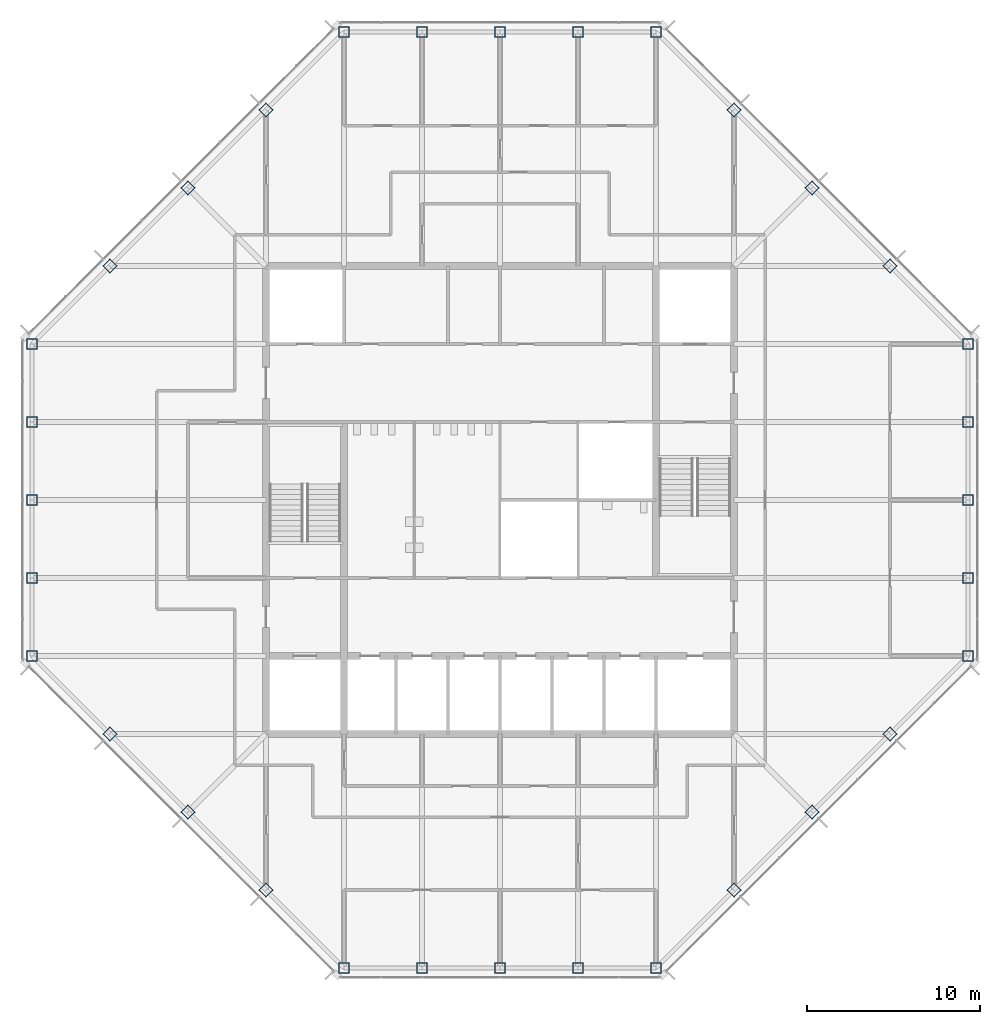
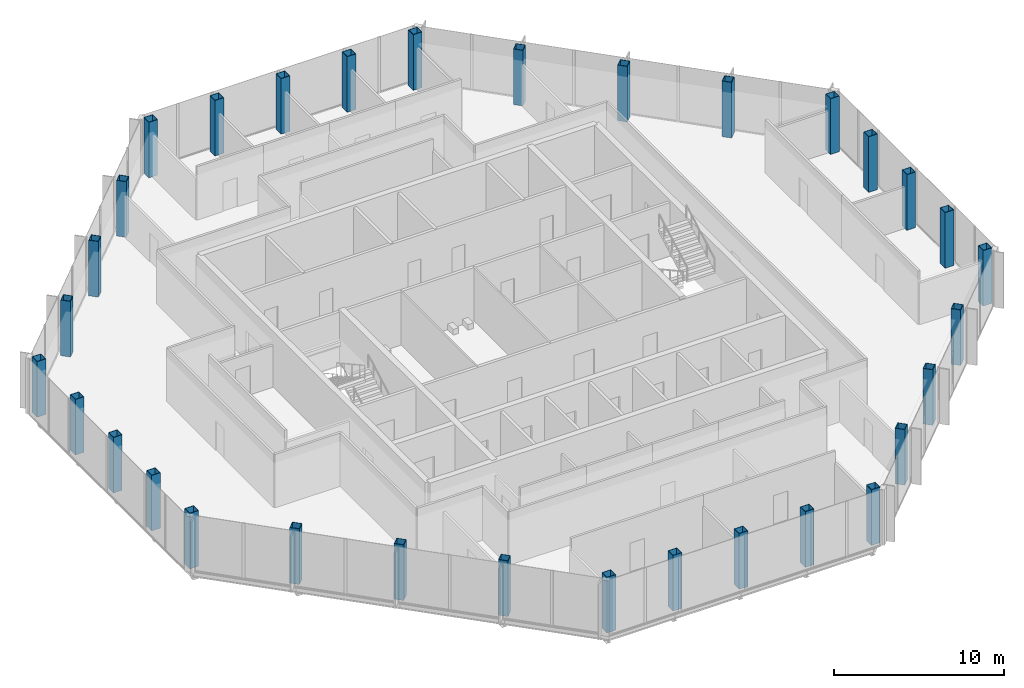
# One storey, part 1 of 14: 32 columns.
"""IFC4 building model written with IfcOpenShell, lengths in metres."""

from ifc_helpers import new_model, si_unit, direction, frame, origin, origin_2d, place, context, subcontext, project, spatial, hollow_rectangle, extrude, material, material_profile, profile_set, type_object, element, save


model = new_model("IFC4")

# Units and contexts
model_context = context("Model", 3, precision=1e-05, world=origin(), true_north=direction((0.0, 1.0)))
body_context = subcontext(model_context, "Body", "Model", "MODEL_VIEW")
ifc_project = project(units=[si_unit("LENGTHUNIT", "METRE"), si_unit("AREAUNIT", "SQUARE_METRE"), si_unit("VOLUMEUNIT", "CUBIC_METRE"), si_unit("PLANEANGLEUNIT", "RADIAN"), si_unit("MASSUNIT", "GRAM", prefix="KILO")], contexts=[model_context])

# Site, building, storey
site_placement = place(None, origin())
site = spatial("IfcSite", under=ifc_project, at=site_placement, CompositionType="ELEMENT")
building_placement = place(site_placement, origin())
building = spatial("IfcBuilding", under=site, at=building_placement, Name="Corais Broadcast Tower", CompositionType="ELEMENT")
storey_placement = place(building_placement, frame((0.0, 0.0, 278.60009765625)))
storey = spatial("IfcBuildingStorey", under=building, at=storey_placement, Name="L65", CompositionType="ELEMENT", Elevation=278.60009765625)

# Columns
ifc_material = material(Name="Steel ASTM A572 Grade 50", Category="steel")
ifc_material_profile = material_profile(ifc_material, hollow_rectangle(XDim=0.60009765625, YDim=0.60009765625, WallThickness=0.028076171875, at=origin_2d()), Name="BOX 600x600x28")
ifc_profile_set = profile_set([ifc_material_profile], Name="Steel ASTM A572 Grade 50")
column_type = type_object("IfcColumnType", Name="Column BOX 600x600x28", PredefinedType="COLUMN", material=ifc_profile_set)
for number, where, z_axis, x_axis, name in (
    (1, (18.0, 0.0, 0.0), (0.0, 0.0, 1.0), (1.0, 0.0, 0.0), "C7 A/7"),
    (2, (22.5, 0.0, 0.0), (0.0, 0.0, 1.0), (1.0, 0.0, 0.0), "C7 A/8"),
    (3, (27.0, 0.0, 0.0), (0.0, 0.0, 1.0), (1.0, 0.0, 0.0), "C7 A/9"),
    (4, (31.5, 0.0, 0.0), (0.0, 0.0, 1.0), (1.0, 0.0, 0.0), "C7 A/10"),
    (5, (36.0, 0.0, 0.0), (0.0, 0.0, 1.0), (1.0, 0.0, 0.0), "C7 A/11"),
    (6, (54.0, 18.0, 0.0), (0.0, 0.0, 1.0), (1.0, 0.0, 0.0), "C7 E/15"),
    (7, (54.0, 22.5, 0.0), (0.0, 0.0, 1.0), (1.0, 0.0, 0.0), "C7 F/15"),
    (8, (54.0, 27.0, 0.0), (0.0, 0.0, 1.0), (1.0, 0.0, 0.0), "C7 G/15"),
    (9, (54.0, 31.5, 0.0), (0.0, 0.0, 1.0), (1.0, 0.0, 0.0), "C7 H/15"),
    (10, (54.0, 36.0, 0.0), (0.0, 0.0, 1.0), (1.0, 0.0, 0.0), "C7 J/15"),
    (11, (36.0, 54.0, 0.0), (0.0, 0.0, 1.0), (1.0, 0.0, 0.0), "C7 N/11"),
    (12, (31.5, 54.0, 0.0), (0.0, 0.0, 1.0), (1.0, 0.0, 0.0), "C7 N/10"),
    (13, (27.0, 54.0, 0.0), (0.0, 0.0, 1.0), (1.0, 0.0, 0.0), "C7 N/9"),
    (14, (22.5, 54.0, 0.0), (0.0, 0.0, 1.0), (1.0, 0.0, 0.0), "C7 N/8"),
    (15, (18.0, 54.0, 0.0), (0.0, 0.0, 1.0), (1.0, 0.0, 0.0), "C7 N/7"),
    (16, (0.0, 36.0, 0.0), (0.0, 0.0, 1.0), (1.0, 0.0, 0.0), "C7 J/3"),
    (17, (0.0, 31.5, 0.0), (0.0, 0.0, 1.0), (1.0, 0.0, 0.0), "C7 H/3"),
    (18, (0.0, 27.0, 0.0), (0.0, 0.0, 1.0), (1.0, 0.0, 0.0), "C7 G/3"),
    (19, (0.0, 22.5, 0.0), (0.0, 0.0, 1.0), (1.0, 0.0, 0.0), "C7 F/3"),
    (20, (0.0, 18.0, 0.0), (0.0, 0.0, 1.0), (1.0, 0.0, 0.0), "C7 E/3"),
    (21, (13.5, 4.5, 0.0), (0.0, 0.0, 1.0), (0.707106781187, 0.707106781187, 0.0), "C7 B/6"),
    (22, (9.0, 9.0, 0.0), (0.0, 0.0, 1.0), (0.707106781187, 0.707106781187, 0.0), "C7 C/5"),
    (23, (4.5, 13.5, 0.0), (0.0, 0.0, 1.0), (0.707106781187, 0.707106781187, 0.0), "C7 D/4"),
    (24, (40.5, 4.5, 0.0), (0.0, 0.0, 1.0), (0.707106781187, 0.707106781187, 0.0), "C7 B/12"),
    (25, (45.0, 9.0, 0.0), (0.0, 0.0, 1.0), (0.707106781187, 0.707106781187, 0.0), "C7 C/13"),
    (26, (49.5, 13.5, 0.0), (0.0, 0.0, 1.0), (0.707106781187, 0.707106781187, 0.0), "C7 D/14"),
    (27, (49.5, 40.5, 0.0), (0.0, 0.0, 1.0), (0.707106781187, 0.707106781187, 0.0), "C7 K/14"),
    (28, (45.0, 45.0, 0.0), (0.0, 0.0, 1.0), (0.707106781187, 0.707106781187, 0.0), "C7 L/13"),
    (29, (40.5, 49.5, 0.0), (0.0, 0.0, 1.0), (0.707106781187, 0.707106781187, 0.0), "C7 M/12"),
    (30, (4.5, 40.5, 0.0), (0.0, 0.0, 1.0), (0.707106781187, 0.707106781187, 0.0), "C7 K/4"),
    (31, (9.0, 45.0, 0.0), (0.0, 0.0, 1.0), (0.707106781187, 0.707106781187, 0.0), "C7 L/5"),
    (32, (13.5, 49.5, 0.0), (0.0, 0.0, 1.0), (0.707106781187, 0.707106781187, 0.0), "C7 M/6"),
):
    element("IfcColumn", number, at=place(storey_placement, frame(where, z_axis=z_axis, x_axis=x_axis)), inside=storey, type_object=column_type, Name=name, PredefinedType="COLUMN", context=body_context, shape_type="SweptSolid", body=[
        extrude(hollow_rectangle(XDim=0.60009765625, YDim=0.60009765625, WallThickness=0.028076171875, at=origin_2d()), origin(), (0.0, 0.0, 1.0), 4.0),
    ])

save(model, "model.ifc")
